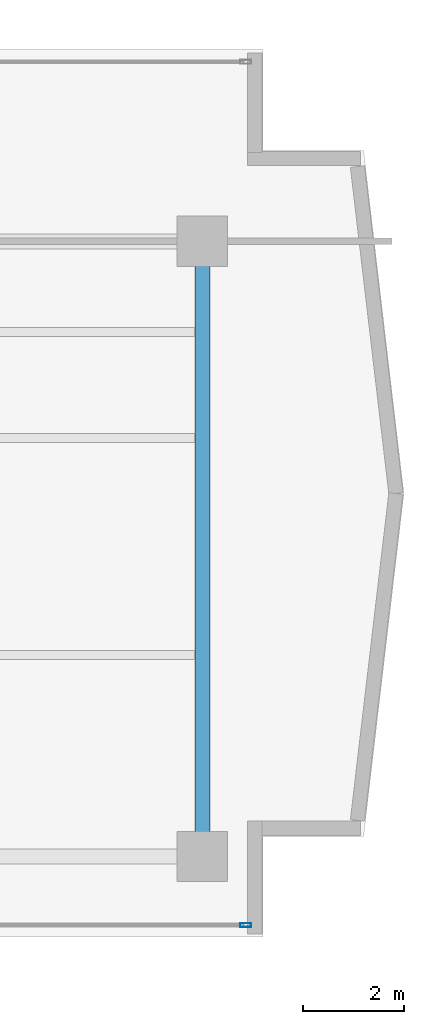
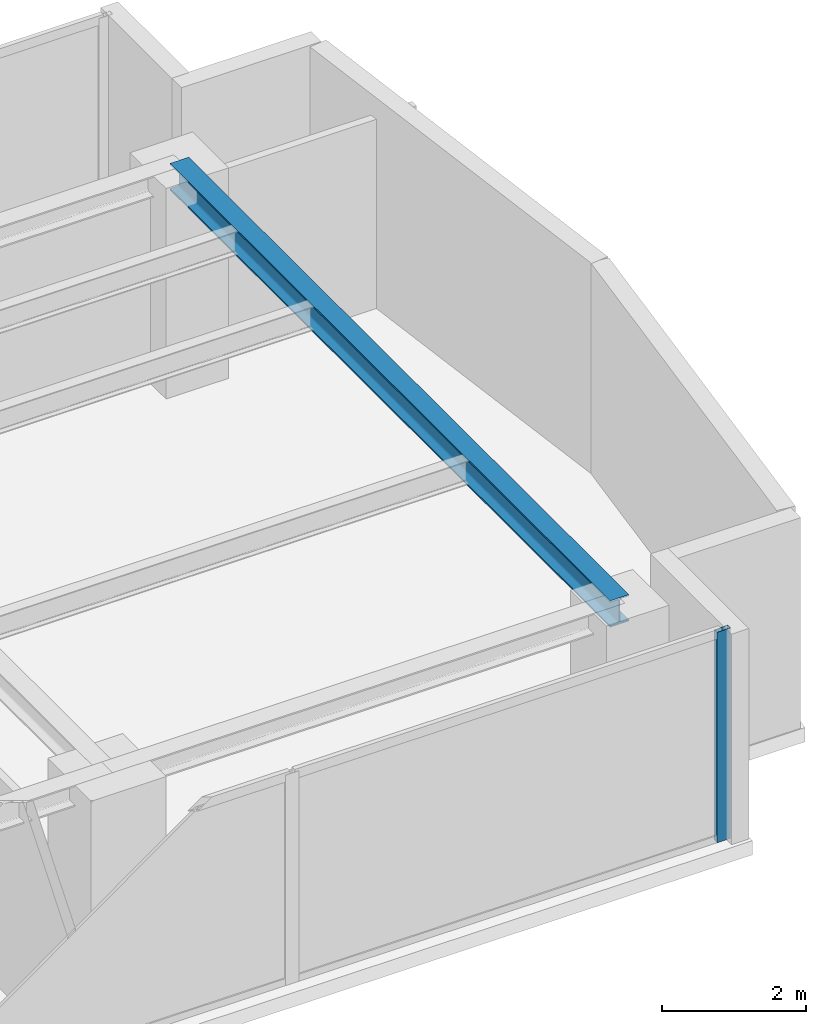
# One storey, part 13 of 27: 1 beam, 1 member, 1 element without a shape of its own.
"""IFC4 building model written with IfcOpenShell, lengths in metres."""

import ifcopenshell
import ifcopenshell.guid

model = None  # the IFC model being written
_history = None  # IfcOwnerHistory: only IFC2X3 demands one
_inside = {}  # id of a spatial element -> (the spatial element, [elements in it])
_under = {}  # id of a project, library or spatial element -> (it, [spatial elements below it])
_declared = {}  # id of a project -> (the project, [libraries it declares])
_typed = {}  # id of a type object -> (the type object, [elements of that type])
_made_of = {}  # id of a material, layer set ... -> (it, [elements and type objects made of it])


def new_model(schema):
    """Start an empty IFC model of exactly this schema.

    Asked for "IFC4X3", IfcOpenShell would pick the latest addendum, in which some entities
    have other attributes; the version numbers below select the first issue.
    IFC2X3 requires an IfcOwnerHistory on every rooted entity: one is made here for all.
    """
    global model, _history
    if schema == "IFC4X3":
        model = ifcopenshell.file(schema_version=(4, 3, 0, 0))
    else:
        model = ifcopenshell.file(schema=schema)
    _inside.clear()
    _under.clear()
    _declared.clear()
    _typed.clear()
    _made_of.clear()
    _history = None
    if model.schema == "IFC2X3":
        org = make("IfcOrganization", Name="unknown")
        user = make(
            "IfcPersonAndOrganization",
            ThePerson=make("IfcPerson", FamilyName="unknown"),
            TheOrganization=org,
        )
        app = make(
            "IfcApplication",
            ApplicationDeveloper=org,
            Version="unknown",
            ApplicationFullName="unknown",
            ApplicationIdentifier="unknown",
        )
        _history = make(
            "IfcOwnerHistory",
            OwningUser=user,
            OwningApplication=app,
            ChangeAction="ADDED",
            CreationDate=0,
        )
    return model


def make(cls, **values):
    """One entity of the class cls with the attributes given. An attribute that is None is left unset."""
    return model.create_entity(
        cls, **{name: value for name, value in values.items() if value is not None}
    )


def rooted(cls, **values):
    """An entity with a GlobalId (a new one), such as an element, a storey or a relation."""
    return make(cls, GlobalId=ifcopenshell.guid.new(), OwnerHistory=_history, **values)


def si_unit(unit_type, name, prefix=None):
    """IfcSIUnit, for example si_unit("LENGTHUNIT", "METRE", prefix="MILLI")."""
    return make("IfcSIUnit", UnitType=unit_type, Prefix=prefix, Name=name)


def assignment(units):
    """IfcUnitAssignment: the units of a project."""
    return None if units is None else make("IfcUnitAssignment", Units=units)


def point(xyz):
    """IfcCartesianPoint."""
    return None if xyz is None else make("IfcCartesianPoint", Coordinates=xyz)


def direction(xyz):
    """IfcDirection."""
    return None if xyz is None else make("IfcDirection", DirectionRatios=xyz)


def frame(location, z_axis=None, x_axis=None):
    """IfcAxis2Placement3D, a coordinate frame: its origin and axes. An axis left out is left unset."""
    return make(
        "IfcAxis2Placement3D",
        Location=point(location),
        Axis=direction(z_axis),
        RefDirection=direction(x_axis),
    )


def frame_2d(location, x_axis=None):
    """IfcAxis2Placement2D, a coordinate frame in the plane: its origin and x axis."""
    return make(
        "IfcAxis2Placement2D", Location=point(location), RefDirection=direction(x_axis)
    )


def origin():
    """The frame at (0, 0, 0) with its axes left unset."""
    return frame((0.0, 0.0, 0.0))


def origin_with_axes():
    """The frame at (0, 0, 0) with the z axis (0, 0, 1) and the x axis (1, 0, 0) written out."""
    return frame((0.0, 0.0, 0.0), z_axis=(0.0, 0.0, 1.0), x_axis=(1.0, 0.0, 0.0))


def origin_2d():
    """The frame at (0, 0) in the plane with its x axis left unset."""
    return frame_2d((0.0, 0.0))


def place(relative_to, where):
    """IfcLocalPlacement: puts the frame where relative to a parent placement (None: the world)."""
    return make(
        "IfcLocalPlacement", PlacementRelTo=relative_to, RelativePlacement=where
    )


def context(
    kind, dimensions, precision=None, world=None, true_north=None, identifier=None
):
    """IfcGeometricRepresentationContext, for example the 3D "Model" context."""
    return make(
        "IfcGeometricRepresentationContext",
        ContextIdentifier=identifier,
        ContextType=kind,
        CoordinateSpaceDimension=dimensions,
        Precision=precision,
        WorldCoordinateSystem=world,
        TrueNorth=true_north,
    )


def subcontext(parent, identifier, kind, view, scale=None):
    """IfcGeometricRepresentationSubContext, for example "Body" below "Model"."""
    return make(
        "IfcGeometricRepresentationSubContext",
        ContextIdentifier=identifier,
        ContextType=kind,
        ParentContext=parent,
        TargetScale=scale,
        TargetView=view,
    )


def project(units=None, contexts=None):
    """IfcProject with its units and contexts."""
    return rooted(
        "IfcProject",
        Name="project",
        RepresentationContexts=contexts,
        UnitsInContext=assignment(units),
    )


def spatial(cls, under=None, at=None, **own):
    """A site, building, storey or space (cls), placed at a placement, below another one or the project."""
    s = rooted(cls, ObjectPlacement=at, **own)
    if under is not None:
        _under.setdefault(under.id(), (under, []))[1].append(s)
    return s


def profile(cls, at=None, kind="AREA", **sizes):
    """A parametric profile (cls). Its sizes go by their IFC names, for example OverallWidth=200.0."""
    return make(cls, ProfileType=kind, Position=at, **sizes)


def hollow_rectangle(**sizes):
    """IfcRectangleHollowProfileDef."""
    return profile("IfcRectangleHollowProfileDef", **sizes)


def i_section(**sizes):
    """IfcIShapeProfileDef."""
    return profile("IfcIShapeProfileDef", **sizes)


def extrude(swept, where, along, depth):
    """IfcExtrudedAreaSolid: the profile swept, set in the frame where, extruded along a direction by depth."""
    return make(
        "IfcExtrudedAreaSolid",
        SweptArea=swept,
        Position=where,
        ExtrudedDirection=direction(along),
        Depth=depth,
    )


def shape(context_of_items, identifier, shape_type, items):
    """IfcShapeRepresentation: the items that make up one representation, for example the "Body"."""
    return make(
        "IfcShapeRepresentation",
        ContextOfItems=context_of_items,
        RepresentationIdentifier=identifier,
        RepresentationType=shape_type,
        Items=items,
    )


def source(mapping_origin, context_of_items, identifier, shape_type, items):
    """IfcRepresentationMap: a shape defined once, which mapped items show again and again."""
    return make(
        "IfcRepresentationMap",
        MappingOrigin=mapping_origin,
        MappedRepresentation=shape(context_of_items, identifier, shape_type, items),
    )


def transform(
    local_origin,
    x_axis=None,
    y_axis=None,
    z_axis=None,
    scale=None,
    scale2=None,
    scale3=None,
    uniform=True,
):
    """IfcCartesianTransformationOperator3D, or its non-uniform kind. x_axis, y_axis, z_axis: its Axis1, 2, 3."""
    if uniform:
        return make(
            "IfcCartesianTransformationOperator3D",
            Axis1=direction(x_axis),
            Axis2=direction(y_axis),
            LocalOrigin=point(local_origin),
            Scale=scale,
            Axis3=direction(z_axis),
        )
    return make(
        "IfcCartesianTransformationOperator3DnonUniform",
        Axis1=direction(x_axis),
        Axis2=direction(y_axis),
        LocalOrigin=point(local_origin),
        Scale=scale,
        Axis3=direction(z_axis),
        Scale2=scale2,
        Scale3=scale3,
    )


def mapped(mapping_source, mapping_target):
    """IfcMappedItem: shows the shape of a source again, moved by a transform."""
    return make(
        "IfcMappedItem", MappingSource=mapping_source, MappingTarget=mapping_target
    )


def material(Name=None, Category=None):
    """IfcMaterial."""
    return make("IfcMaterial", Name=Name, Category=Category)


def layer(
    of_material, thickness, ventilated=None, Name=None, Category=None, Priority=None
):
    """IfcMaterialLayer: one layer of a wall or slab, of a material (None: an air gap)."""
    return make(
        "IfcMaterialLayer",
        Material=of_material,
        LayerThickness=thickness,
        IsVentilated=ventilated,
        Name=Name,
        Category=Category,
        Priority=Priority,
    )


def layer_set(layers, Name=None):
    """IfcMaterialLayerSet."""
    return make("IfcMaterialLayerSet", MaterialLayers=layers, LayerSetName=Name)


def material_profile(
    of_material, cross_section, Name=None, Category=None, Priority=None
):
    """IfcMaterialProfile: a cross section and its material."""
    return make(
        "IfcMaterialProfile",
        Name=Name,
        Material=of_material,
        Profile=cross_section,
        Priority=Priority,
        Category=Category,
    )


def profile_set(profiles, Name=None, composite=None):
    """IfcMaterialProfileSet."""
    return make(
        "IfcMaterialProfileSet",
        Name=Name,
        MaterialProfiles=profiles,
        CompositeProfile=composite,
    )


def made_of(thing, what):
    """Note that an element or type object is made of a material, layer set ...; save() writes the relation."""
    if what is not None:
        _made_of.setdefault(what.id(), (what, []))[1].append(thing)
    return thing


def type_object(cls, material=None, **own):
    """A type object (cls), such as IfcWallType, which elements share."""
    return made_of(rooted(cls, **own), material)


def element(
    cls,
    number,
    at=None,
    inside=None,
    cuts=None,
    type_object=None,
    material=None,
    context=None,
    identifier="Body",
    shape_type=None,
    held_by="IfcProductDefinitionShape",
    body=None,
    shapes=None,
    **own,
):
    """One element of the class cls, such as IfcWall. Its Tag is "e" and its number.

    at: its placement. inside: the storey or other place that contains it. cuts: it is an
    opening in that element (IfcRelVoidsElement). A single representation is given by context,
    identifier, shape_type and body (its items); several are given by shapes. held_by: the class
    of the entity that holds the representations. save() writes the other relations.
    """
    e = rooted(cls, Tag="e%d" % number, ObjectPlacement=at, **own)
    if body is not None:
        shapes = [shape(context, identifier, shape_type, body)]
    if shapes is not None:
        e.Representation = make(held_by, Representations=shapes)
    if inside is not None:
        _inside.setdefault(inside.id(), (inside, []))[1].append(e)
    if cuts is not None:
        rooted(
            "IfcRelVoidsElement", RelatingBuildingElement=cuts, RelatedOpeningElement=e
        )
    if type_object is not None:
        _typed.setdefault(type_object.id(), (type_object, []))[1].append(e)
    return made_of(e, material)


def aggregate(whole, parts):
    """IfcRelAggregates: a whole, such as a stair, and the parts it consists of."""
    return rooted("IfcRelAggregates", RelatingObject=whole, RelatedObjects=parts)


def save(model, path):
    """Write the relations noted so far, then the file.

    IfcRelAggregates (storeys below a building ...), IfcRelContainedInSpatialStructure (elements
    in a storey), IfcRelDefinesByType, IfcRelAssociatesMaterial and IfcRelDeclares: one each for
    every whole, place, type object, material and project.
    """
    for whole, parts in _under.values():
        aggregate(whole, parts)
    for where, things in _inside.values():
        rooted(
            "IfcRelContainedInSpatialStructure",
            RelatedElements=things,
            RelatingStructure=where,
        )
    for kind, things in _typed.values():
        rooted("IfcRelDefinesByType", RelatedObjects=things, RelatingType=kind)
    for what, things in _made_of.values():
        rooted("IfcRelAssociatesMaterial", RelatedObjects=things, RelatingMaterial=what)
    for by, libraries in _declared.values():
        rooted("IfcRelDeclares", RelatingContext=by, RelatedDefinitions=libraries)
    model.write(path)


model = new_model("IFC4")

# Units and contexts
model_context = context("Model", 3, precision=1e-05, world=origin(), true_north=direction((0.0, 1.0)))
body_context = subcontext(model_context, "Body", "Model", "MODEL_VIEW")
ifc_project = project(units=[si_unit("LENGTHUNIT", "METRE"), si_unit("AREAUNIT", "SQUARE_METRE"), si_unit("VOLUMEUNIT", "CUBIC_METRE"), si_unit("PLANEANGLEUNIT", "RADIAN"), si_unit("MASSUNIT", "GRAM", prefix="KILO")], contexts=[model_context])

# Site, building, storey
site_placement = place(None, origin())
site = spatial("IfcSite", under=ifc_project, at=site_placement, CompositionType="ELEMENT")
building_placement = place(site_placement, origin())
building = spatial("IfcBuilding", under=site, at=building_placement, Name="Kolvaren Waterfront Exchange", CompositionType="ELEMENT")
storey_placement = place(building_placement, frame((0.0, 0.0, 161.39990234375)))
storey = spatial("IfcBuildingStorey", under=building, at=storey_placement, Name="L41", CompositionType="ELEMENT", Elevation=161.39990234375)

# Beam
ifc_material_1 = material(Name="Steel S355", Category="steel")
ifc_material_profile_1 = material_profile(ifc_material_1, i_section(OverallWidth=0.300048828125, OverallDepth=0.449951171875, WebThickness=0.013916015625, FlangeThickness=0.02587890625, FilletRadius=0.027099609375, at=origin_2d()), Name="HEB450")
ifc_profile_set_1 = profile_set([ifc_material_profile_1], Name="Steel S355")
beam_type = type_object("IfcBeamType", Name="STR-BM-HEB450", PredefinedType="BEAM", material=ifc_profile_set_1)
beam_placement = place(storey_placement, frame((53.800048828125, 5.199951171875, 3.335205078125), z_axis=(0.0, 1.0, 0.0), x_axis=(-1.0, 0.0, 0.0)))
element("IfcBeam", 1, at=beam_placement, inside=storey, type_object=beam_type, Name="L41 east-arm transverse girder X53", PredefinedType="BEAM", context=body_context, shape_type="SweptSolid", body=[
    extrude(i_section(OverallWidth=0.300048828125, OverallDepth=0.449951171875, WebThickness=0.013916015625, FlangeThickness=0.02587890625, FilletRadius=0.027099609375, at=origin_2d()), origin(), (0.0, 0.0, 1.0), 12.199951171875),
])

# Curtain wall, member
ifc_material_2 = material(Name="Anodised bronze aluminium 6063-T6", Category="aluminium")
ifc_layer = layer(ifc_material_2, 0.219970703125, Name="Anodised bronze aluminium 6063-T6")
ifc_layer_set = layer_set([ifc_layer], Name="Anodised bronze aluminium 6063-T6")
curtain_wall_type = type_object("IfcCurtainWallType", Name="ARC-CW-SYS1", PredefinedType="USERDEFINED", material=ifc_layer_set)
curtain_wall_placement = place(storey_placement, origin())
curtain_wall = element("IfcCurtainWall", 2, at=curtain_wall_placement, inside=storey, type_object=curtain_wall_type, Name="L41 stick curtain wall CW1 (CW-L41-S)", ObjectType="STICK CURTAIN WALL", PredefinedType="USERDEFINED")
ifc_material_3 = material(Name="Anodised aluminium 6063-T6", Category="aluminium")
ifc_material_profile_2 = material_profile(ifc_material_3, hollow_rectangle(XDim=0.080078125, YDim=0.219970703125, WallThickness=0.0048828125, at=origin_2d()), Name="ALU-MUL-220x80x5")
ifc_profile_set_2 = profile_set([ifc_material_profile_2], Name="Anodised aluminium 6063-T6")
member_type = type_object("IfcMemberType", Name="ARC-CWM-220", PredefinedType="MULLION", material=ifc_profile_set_2)
shared_shape = source(origin_with_axes(), body_context, "Body", "SweptSolid", [
    extrude(hollow_rectangle(XDim=0.080078125, YDim=0.219970703125, WallThickness=0.0048828125, at=origin_2d()), origin(), (0.0, 0.0, 1.0), 3.56005859375),
])
member_placement = place(storey_placement, frame((54.659912109375, 3.840087890625, 0.0), z_axis=(0.0, 0.0, 1.0), x_axis=(0.0, 1.0, 0.0)))
member = element("IfcMember", 3, at=member_placement, type_object=member_type, Name="CW1 mullion 8", PredefinedType="MULLION", context=body_context, shape_type="MappedRepresentation", body=[
    mapped(shared_shape, transform((0.0, 0.0, 0.0), x_axis=(1.0, 0.0, 0.0), y_axis=(0.0, 1.0, 0.0), z_axis=(0.0, 0.0, 1.0), scale=1.0)),
])
aggregate(curtain_wall, [member])

save(model, "model.ifc")
